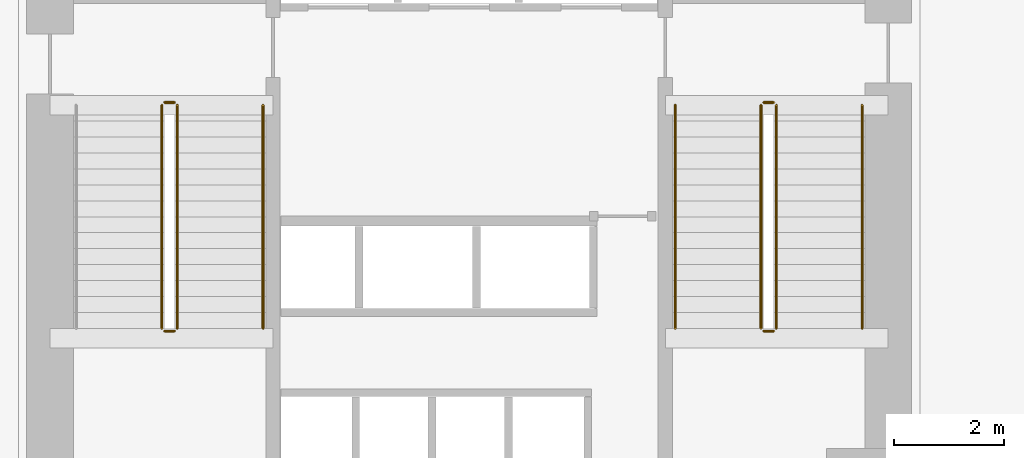
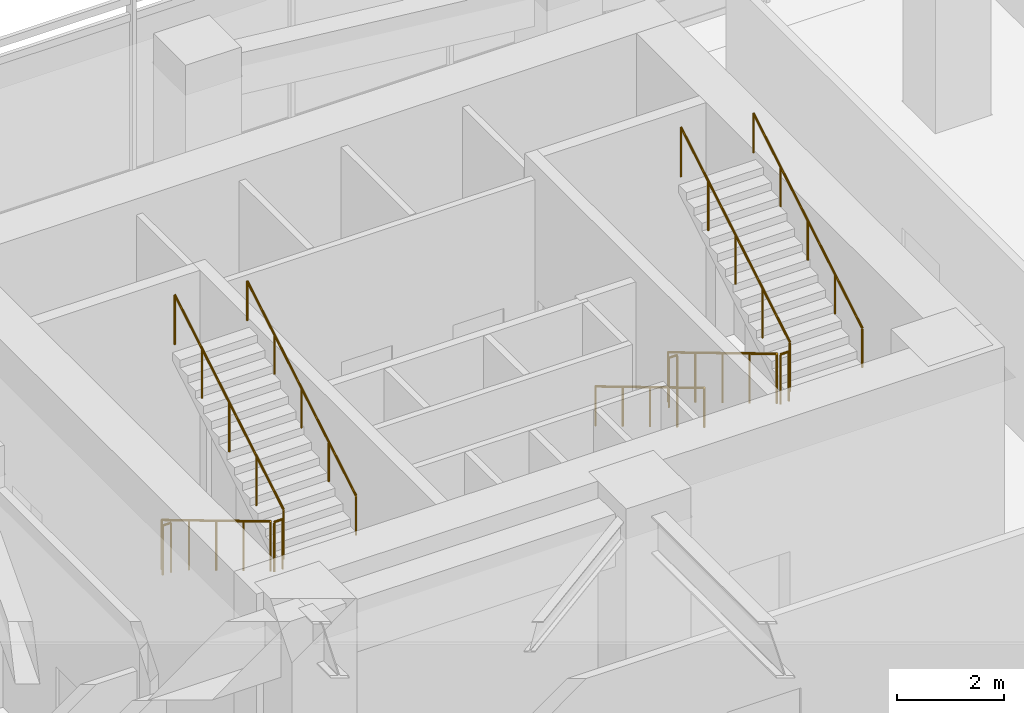
# One storey, part 15 of 15: 11 railings.
"""IFC4 building model written with IfcOpenShell, lengths in metres."""

from ifc_helpers import new_model, si_unit, direction, frame, origin, origin_2d, place, context, subcontext, project, spatial, circle, extrude, material, type_object, element, save


model = new_model("IFC4")

# Units and contexts
model_context = context("Model", 3, precision=1e-05, world=origin(), true_north=direction((0.0, 1.0)))
body_context = subcontext(model_context, "Body", "Model", "MODEL_VIEW")
ifc_project = project(units=[si_unit("LENGTHUNIT", "METRE"), si_unit("AREAUNIT", "SQUARE_METRE"), si_unit("VOLUMEUNIT", "CUBIC_METRE"), si_unit("PLANEANGLEUNIT", "RADIAN"), si_unit("MASSUNIT", "GRAM", prefix="KILO")], contexts=[model_context])

# Site, building, storey
site_placement = place(None, origin())
site = spatial("IfcSite", under=ifc_project, at=site_placement, CompositionType="ELEMENT")
building_placement = place(site_placement, origin())
building = spatial("IfcBuilding", under=site, at=building_placement, Name="Calvemar Wedge Station Tower", CompositionType="ELEMENT")
storey_placement = place(building_placement, frame((0.0, 0.0, 16.39990234375)))
storey = spatial("IfcBuildingStorey", under=building, at=storey_placement, Name="L04", CompositionType="ELEMENT", Elevation=16.39990234375)

# Railings
ifc_material_1 = material(Name="Stainless steel AISI 316L", Category="steel")
railing_type_1 = type_object("IfcRailingType", Name="RL-HANDRAIL-920", PredefinedType="HANDRAIL", material=ifc_material_1)
railing_1_placement = place(storey_placement, frame((20.050048828125, 37.090087890625, 2.7734375)))
element("IfcRailing", 1, at=railing_1_placement, inside=storey, type_object=railing_type_1, Name="L04 ST-C1 stair handrail 2", PredefinedType="HANDRAIL", context=body_context, shape_type="SweptSolid", body=[
    extrude(circle(Radius=0.02392578125, at=origin_2d()), frame((0.0, 0.0, 0.89599609375), z_axis=(0.0, 0.858343435637, 0.513075575815), x_axis=(-1.0, 0.0, 0.0)), (0.0, 0.0, 1.0), 4.729736328125),
    extrude(circle(Radius=0.02099609375, at=origin_2d()), origin(), (0.0, 0.0, 1.0), 0.871826171875),
    extrude(circle(Radius=0.02099609375, at=origin_2d()), frame((0.0, 1.014892578125, 0.606689453125)), (0.0, 0.0, 1.0), 0.871826171875),
    extrude(circle(Radius=0.02099609375, at=origin_2d()), frame((0.0, 2.02978515625, 1.21337890625)), (0.0, 0.0, 1.0), 0.871826171875),
    extrude(circle(Radius=0.02099609375, at=origin_2d()), frame((0.0, 3.044921875, 1.820068359375)), (0.0, 0.0, 1.0), 0.871826171875),
    extrude(circle(Radius=0.02099609375, at=origin_2d()), frame((0.0, 4.059814453125, 2.4267578125)), (0.0, 0.0, 1.0), 0.871826171875),
])
railing_2_placement = place(storey_placement, frame((27.550048828125, 41.14990234375, 0.17333984375)))
element("IfcRailing", 2, at=railing_2_placement, inside=storey, type_object=railing_type_1, Name="L04 ST-C2 stair handrail 1", PredefinedType="HANDRAIL", context=body_context, shape_type="SweptSolid", body=[
    extrude(circle(Radius=0.02392578125, at=origin_2d()), frame((0.0, 0.0, 0.89599609375), z_axis=(0.0, -0.858343435637, 0.513075575815), x_axis=(1.0, 0.0, 0.0)), (0.0, 0.0, 1.0), 4.729736328125),
    extrude(circle(Radius=0.02099609375, at=origin_2d()), origin(), (0.0, 0.0, 1.0), 0.871826171875),
    extrude(circle(Radius=0.02099609375, at=origin_2d()), frame((0.0, -1.014892578125, 0.606689453125)), (0.0, 0.0, 1.0), 0.871826171875),
    extrude(circle(Radius=0.02099609375, at=origin_2d()), frame((0.0, -2.02978515625, 1.21337890625)), (0.0, 0.0, 1.0), 0.871826171875),
    extrude(circle(Radius=0.02099609375, at=origin_2d()), frame((0.0, -3.044921875, 1.820068359375)), (0.0, 0.0, 1.0), 0.871826171875),
    extrude(circle(Radius=0.02099609375, at=origin_2d()), frame((0.0, -4.059814453125, 2.4267578125)), (0.0, 0.0, 1.0), 0.871826171875),
])
railing_3_placement = place(storey_placement, frame((30.949951171875, 37.090087890625, 2.7734375)))
element("IfcRailing", 3, at=railing_3_placement, inside=storey, type_object=railing_type_1, Name="L04 ST-C2 stair handrail 2", PredefinedType="HANDRAIL", context=body_context, shape_type="SweptSolid", body=[
    extrude(circle(Radius=0.02392578125, at=origin_2d()), frame((0.0, 0.0, 0.89599609375), z_axis=(0.0, 0.858343435637, 0.513075575815), x_axis=(-1.0, 0.0, 0.0)), (0.0, 0.0, 1.0), 4.729736328125),
    extrude(circle(Radius=0.02099609375, at=origin_2d()), origin(), (0.0, 0.0, 1.0), 0.871826171875),
    extrude(circle(Radius=0.02099609375, at=origin_2d()), frame((0.0, 1.014892578125, 0.606689453125)), (0.0, 0.0, 1.0), 0.871826171875),
    extrude(circle(Radius=0.02099609375, at=origin_2d()), frame((0.0, 2.02978515625, 1.21337890625)), (0.0, 0.0, 1.0), 0.871826171875),
    extrude(circle(Radius=0.02099609375, at=origin_2d()), frame((0.0, 3.044921875, 1.820068359375)), (0.0, 0.0, 1.0), 0.871826171875),
    extrude(circle(Radius=0.02099609375, at=origin_2d()), frame((0.0, 4.059814453125, 2.4267578125)), (0.0, 0.0, 1.0), 0.871826171875),
])
ifc_material_2 = material(Name="Painted steel guardrail ASTM A500 Grade C", Category="steel")
railing_type_2 = type_object("IfcRailingType", Name="RL-STAIR-GUARD-1150", PredefinedType="GUARDRAIL", material=ifc_material_2)
railing_4_placement = place(storey_placement, frame((18.2099609375, 41.14990234375, 0.17333984375)))
element("IfcRailing", 4, at=railing_4_placement, inside=storey, type_object=railing_type_2, Name="L04 ST-C1 stair guard 1", PredefinedType="GUARDRAIL", context=body_context, shape_type="SweptSolid", body=[
    extrude(circle(Radius=0.02392578125, at=origin_2d()), frame((0.0, 0.0, 1.1259765625), z_axis=(0.0, -0.858343435637, 0.513075575815), x_axis=(1.0, 0.0, 0.0)), (0.0, 0.0, 1.0), 4.729736328125),
    extrude(circle(Radius=0.02099609375, at=origin_2d()), origin(), (0.0, 0.0, 1.0), 1.101806640625),
    extrude(circle(Radius=0.02099609375, at=origin_2d()), frame((0.0, -1.014892578125, 0.606689453125)), (0.0, 0.0, 1.0), 1.101806640625),
    extrude(circle(Radius=0.02099609375, at=origin_2d()), frame((0.0, -2.02978515625, 1.21337890625)), (0.0, 0.0, 1.0), 1.101806640625),
    extrude(circle(Radius=0.02099609375, at=origin_2d()), frame((0.0, -3.044921875, 1.820068359375)), (0.0, 0.0, 1.0), 1.101806640625),
    extrude(circle(Radius=0.02099609375, at=origin_2d()), frame((0.0, -4.059814453125, 2.4267578125)), (0.0, 0.0, 1.0), 1.101806640625),
])
railing_5_placement = place(storey_placement, frame((18.260009765625, 37.0400390625, 2.60009765625)))
element("IfcRailing", 5, at=railing_5_placement, inside=storey, type_object=railing_type_2, Name="L04 ST-C1 stair guard 2", PredefinedType="GUARDRAIL", context=body_context, shape_type="SweptSolid", body=[
    extrude(circle(Radius=0.02392578125, at=origin_2d()), frame((0.0, 0.0, 1.1259765625), z_axis=(1.0, 0.0, 0.0), x_axis=(0.0, 1.0, 0.0)), (0.0, 0.0, 1.0), 0.179931640625),
    extrude(circle(Radius=0.02099609375, at=origin_2d()), origin(), (0.0, 0.0, 1.0), 1.101806640625),
    extrude(circle(Radius=0.02099609375, at=origin_2d()), frame((0.179931640625, 0.0, 0.0)), (0.0, 0.0, 1.0), 1.101806640625),
])
railing_6_placement = place(storey_placement, frame((18.489990234375, 37.090087890625, 2.7734375)))
element("IfcRailing", 6, at=railing_6_placement, inside=storey, type_object=railing_type_2, Name="L04 ST-C1 stair guard 3", PredefinedType="GUARDRAIL", context=body_context, shape_type="SweptSolid", body=[
    extrude(circle(Radius=0.02392578125, at=origin_2d()), frame((0.0, 0.0, 1.1259765625), z_axis=(0.0, 0.858343435637, 0.513075575815), x_axis=(-1.0, 0.0, 0.0)), (0.0, 0.0, 1.0), 4.729736328125),
    extrude(circle(Radius=0.02099609375, at=origin_2d()), origin(), (0.0, 0.0, 1.0), 1.101806640625),
    extrude(circle(Radius=0.02099609375, at=origin_2d()), frame((0.0, 1.014892578125, 0.606689453125)), (0.0, 0.0, 1.0), 1.101806640625),
    extrude(circle(Radius=0.02099609375, at=origin_2d()), frame((0.0, 2.02978515625, 1.21337890625)), (0.0, 0.0, 1.0), 1.101806640625),
    extrude(circle(Radius=0.02099609375, at=origin_2d()), frame((0.0, 3.044921875, 1.820068359375)), (0.0, 0.0, 1.0), 1.101806640625),
    extrude(circle(Radius=0.02099609375, at=origin_2d()), frame((0.0, 4.059814453125, 2.4267578125)), (0.0, 0.0, 1.0), 1.101806640625),
])
railing_7_placement = place(storey_placement, frame((18.260009765625, 41.199951171875, 0.0)))
element("IfcRailing", 7, at=railing_7_placement, inside=storey, type_object=railing_type_2, Name="L04 ST-C1 stair guard 4", PredefinedType="GUARDRAIL", context=body_context, shape_type="SweptSolid", body=[
    extrude(circle(Radius=0.02392578125, at=origin_2d()), frame((0.0, 0.0, 1.1259765625), z_axis=(1.0, 0.0, 0.0), x_axis=(0.0, 1.0, 0.0)), (0.0, 0.0, 1.0), 0.179931640625),
    extrude(circle(Radius=0.02099609375, at=origin_2d()), origin(), (0.0, 0.0, 1.0), 1.101806640625),
    extrude(circle(Radius=0.02099609375, at=origin_2d()), frame((0.179931640625, 0.0, 0.0)), (0.0, 0.0, 1.0), 1.101806640625),
])
railing_8_placement = place(storey_placement, frame((29.110107421875, 41.14990234375, 0.17333984375)))
element("IfcRailing", 8, at=railing_8_placement, inside=storey, type_object=railing_type_2, Name="L04 ST-C2 stair guard 1", PredefinedType="GUARDRAIL", context=body_context, shape_type="SweptSolid", body=[
    extrude(circle(Radius=0.02392578125, at=origin_2d()), frame((0.0, 0.0, 1.1259765625), z_axis=(0.0, -0.858343435637, 0.513075575815), x_axis=(1.0, 0.0, 0.0)), (0.0, 0.0, 1.0), 4.729736328125),
    extrude(circle(Radius=0.02099609375, at=origin_2d()), origin(), (0.0, 0.0, 1.0), 1.101806640625),
    extrude(circle(Radius=0.02099609375, at=origin_2d()), frame((0.0, -1.014892578125, 0.606689453125)), (0.0, 0.0, 1.0), 1.101806640625),
    extrude(circle(Radius=0.02099609375, at=origin_2d()), frame((0.0, -2.02978515625, 1.21337890625)), (0.0, 0.0, 1.0), 1.101806640625),
    extrude(circle(Radius=0.02099609375, at=origin_2d()), frame((0.0, -3.044921875, 1.820068359375)), (0.0, 0.0, 1.0), 1.101806640625),
    extrude(circle(Radius=0.02099609375, at=origin_2d()), frame((0.0, -4.059814453125, 2.4267578125)), (0.0, 0.0, 1.0), 1.101806640625),
])
railing_9_placement = place(storey_placement, frame((29.159912109375, 37.0400390625, 2.60009765625)))
element("IfcRailing", 9, at=railing_9_placement, inside=storey, type_object=railing_type_2, Name="L04 ST-C2 stair guard 2", PredefinedType="GUARDRAIL", context=body_context, shape_type="SweptSolid", body=[
    extrude(circle(Radius=0.02392578125, at=origin_2d()), frame((0.0, 0.0, 1.1259765625), z_axis=(1.0, 0.0, 0.0), x_axis=(0.0, 1.0, 0.0)), (0.0, 0.0, 1.0), 0.18017578125),
    extrude(circle(Radius=0.02099609375, at=origin_2d()), origin(), (0.0, 0.0, 1.0), 1.101806640625),
    extrude(circle(Radius=0.02099609375, at=origin_2d()), frame((0.18017578125, 0.0, 0.0)), (0.0, 0.0, 1.0), 1.101806640625),
])
railing_10_placement = place(storey_placement, frame((29.389892578125, 37.090087890625, 2.7734375)))
element("IfcRailing", 10, at=railing_10_placement, inside=storey, type_object=railing_type_2, Name="L04 ST-C2 stair guard 3", PredefinedType="GUARDRAIL", context=body_context, shape_type="SweptSolid", body=[
    extrude(circle(Radius=0.02392578125, at=origin_2d()), frame((0.0, 0.0, 1.1259765625), z_axis=(0.0, 0.858343435637, 0.513075575815), x_axis=(-1.0, 0.0, 0.0)), (0.0, 0.0, 1.0), 4.729736328125),
    extrude(circle(Radius=0.02099609375, at=origin_2d()), origin(), (0.0, 0.0, 1.0), 1.101806640625),
    extrude(circle(Radius=0.02099609375, at=origin_2d()), frame((0.0, 1.014892578125, 0.606689453125)), (0.0, 0.0, 1.0), 1.101806640625),
    extrude(circle(Radius=0.02099609375, at=origin_2d()), frame((0.0, 2.02978515625, 1.21337890625)), (0.0, 0.0, 1.0), 1.101806640625),
    extrude(circle(Radius=0.02099609375, at=origin_2d()), frame((0.0, 3.044921875, 1.820068359375)), (0.0, 0.0, 1.0), 1.101806640625),
    extrude(circle(Radius=0.02099609375, at=origin_2d()), frame((0.0, 4.059814453125, 2.4267578125)), (0.0, 0.0, 1.0), 1.101806640625),
])
railing_11_placement = place(storey_placement, frame((29.159912109375, 41.199951171875, 0.0)))
element("IfcRailing", 11, at=railing_11_placement, inside=storey, type_object=railing_type_2, Name="L04 ST-C2 stair guard 4", PredefinedType="GUARDRAIL", context=body_context, shape_type="SweptSolid", body=[
    extrude(circle(Radius=0.02392578125, at=origin_2d()), frame((0.0, 0.0, 1.1259765625), z_axis=(1.0, 0.0, 0.0), x_axis=(0.0, 1.0, 0.0)), (0.0, 0.0, 1.0), 0.18017578125),
    extrude(circle(Radius=0.02099609375, at=origin_2d()), origin(), (0.0, 0.0, 1.0), 1.101806640625),
    extrude(circle(Radius=0.02099609375, at=origin_2d()), frame((0.18017578125, 0.0, 0.0)), (0.0, 0.0, 1.0), 1.101806640625),
])

save(model, "model.ifc")
